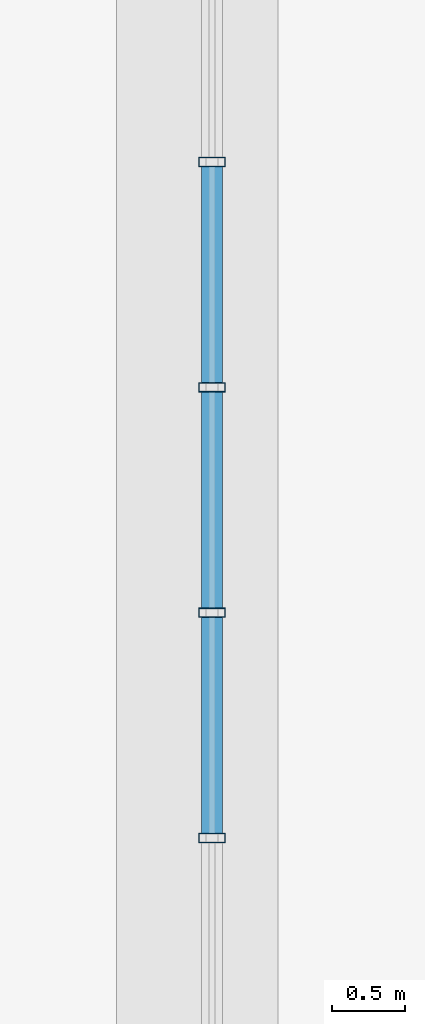
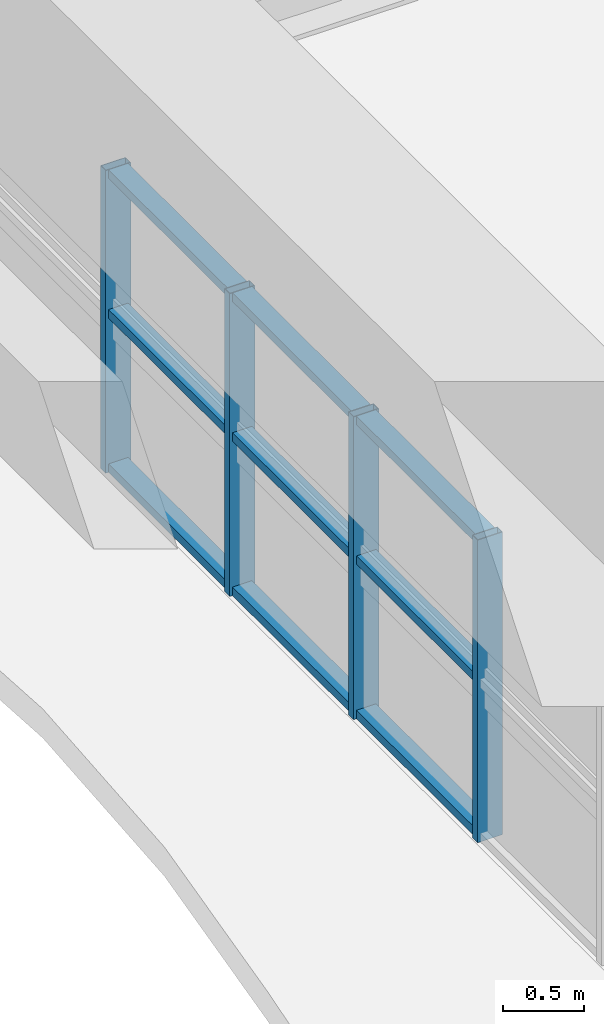
# One storey, part 10 of 35: 13 members, 1 element without a shape of its own.
"""IFC4 building model written with IfcOpenShell, lengths in metres."""

from ifc_helpers import new_model, si_unit, direction, frame, origin, origin_2d, place, context, subcontext, project, spatial, hollow_rectangle, extrude, source, transform, mapped, material, layer, layer_set, material_profile, profile_set, type_object, element, aggregate, save


model = new_model("IFC4")

# Units and contexts
model_context = context("Model", 3, precision=1e-05, world=origin(), true_north=direction((0.0, 1.0)))
body_context = subcontext(model_context, "Body", "Model", "MODEL_VIEW")
ifc_project = project(units=[si_unit("LENGTHUNIT", "METRE"), si_unit("AREAUNIT", "SQUARE_METRE"), si_unit("VOLUMEUNIT", "CUBIC_METRE"), si_unit("PLANEANGLEUNIT", "RADIAN"), si_unit("MASSUNIT", "GRAM", prefix="KILO")], contexts=[model_context])

# Site, building, storey
site_placement = place(None, origin())
site = spatial("IfcSite", under=ifc_project, at=site_placement, CompositionType="ELEMENT")
building_placement = place(site_placement, origin())
building = spatial("IfcBuilding", under=site, at=building_placement, Name="Saelheon Loggia Tower", CompositionType="ELEMENT")
storey_placement = place(building_placement, frame((0.0, 0.0, 70.39990234375)))
storey = spatial("IfcBuildingStorey", under=building, at=storey_placement, Name="L22", CompositionType="ELEMENT", Elevation=70.39990234375)

# Curtain wall, members
ifc_material_1 = material(Name="Anodised Aluminium Acoustic Louvre Curtain Wall", Category="aluminium")
ifc_layer = layer(ifc_material_1, 0.179931640625)
ifc_layer_set = layer_set([ifc_layer], Name="Anodised Aluminium Acoustic Louvre Curtain Wall")
curtain_wall_type = type_object("IfcCurtainWallType", Name="CW_RefugeAcoustic", PredefinedType="NOTDEFINED", material=ifc_layer_set)
curtain_wall_placement = place(storey_placement, origin())
curtain_wall = element("IfcCurtainWall", 1, at=curtain_wall_placement, inside=storey, type_object=curtain_wall_type, Name="L22 W Refuge Acoustic Curtain Wall 2", PredefinedType="NOTDEFINED")
ifc_material_2 = material(Name="Anodised Aluminium 6063-T6", Category="aluminium")
ifc_material_profile_1 = material_profile(ifc_material_2, hollow_rectangle(XDim=0.06494140625, YDim=0.179931640625, WallThickness=0.00390625, at=origin_2d()), Name="RHS-180x65x4")
ifc_profile_set_1 = profile_set([ifc_material_profile_1], Name="Anodised Aluminium 6063-T6")
member_type_1 = type_object("IfcMemberType", Name="CW_RefugeAcoustic_Mullion", PredefinedType="MULLION", material=ifc_profile_set_1)
shared_shape_1 = source(origin(), body_context, "Body", "SweptSolid", [
    extrude(hollow_rectangle(XDim=0.06494140625, YDim=0.179931640625, WallThickness=0.00390625, at=origin_2d()), origin(), (0.0, 0.0, 1.0), 2.2900390625),
])
member_1_placement = place(storey_placement, frame((12.10009765625, 27.76806640625, 0.0), z_axis=(0.0, 0.0, 1.0), x_axis=(0.0, 1.0, 0.0)))
member_1 = element("IfcMember", 2, at=member_1_placement, type_object=member_type_1, Name="CW5 mullion 7", PredefinedType="MULLION", context=body_context, shape_type="MappedRepresentation", body=[
    mapped(shared_shape_1, transform((0.0, 0.0, 0.0), scale=1.0)),
])
member_2_placement = place(storey_placement, frame((12.10009765625, 29.304443359375, 0.0), z_axis=(0.0, 0.0, 1.0), x_axis=(0.0, 1.0, 0.0)))
member_2 = element("IfcMember", 3, at=member_2_placement, type_object=member_type_1, Name="CW5 mullion 8", PredefinedType="MULLION", context=body_context, shape_type="MappedRepresentation", body=[
    mapped(shared_shape_1, transform((0.0, 0.0, 0.0), scale=1.0)),
])
member_3_placement = place(storey_placement, frame((12.10009765625, 30.8408203125, 0.0), z_axis=(0.0, 0.0, 1.0), x_axis=(0.0, 1.0, 0.0)))
member_3 = element("IfcMember", 4, at=member_3_placement, type_object=member_type_1, Name="CW5 mullion 9", PredefinedType="MULLION", context=body_context, shape_type="MappedRepresentation", body=[
    mapped(shared_shape_1, transform((0.0, 0.0, 0.0), scale=1.0)),
])
member_4_placement = place(storey_placement, frame((12.10009765625, 32.377197265625, 0.0), z_axis=(0.0, 0.0, 1.0), x_axis=(0.0, 1.0, 0.0)))
member_4 = element("IfcMember", 5, at=member_4_placement, type_object=member_type_1, Name="CW5 mullion 10", PredefinedType="MULLION", context=body_context, shape_type="MappedRepresentation", body=[
    mapped(shared_shape_1, transform((0.0, 0.0, 0.0), scale=1.0)),
])
ifc_material_profile_2 = material_profile(ifc_material_2, hollow_rectangle(XDim=0.06494140625, YDim=0.139892578125, WallThickness=0.00390625, at=origin_2d()), Name="RHS-140x65x4")
ifc_profile_set_2 = profile_set([ifc_material_profile_2], Name="Anodised Aluminium 6063-T6")
member_type_2 = type_object("IfcMemberType", Name="CW_RefugeAcoustic_Transom", PredefinedType="USERDEFINED", material=ifc_profile_set_2)
shared_shape_2 = source(origin(), body_context, "Body", "SweptSolid", [
    extrude(hollow_rectangle(XDim=0.06494140625, YDim=0.139892578125, WallThickness=0.00390625, at=origin_2d()), origin(), (0.0, 0.0, 1.0), 1.471435546875),
])
member_5_placement = place(storey_placement, frame((12.10009765625, 30.873291015625, 0.03271484375), z_axis=(0.0, 1.0, 0.0), x_axis=(0.0, 0.0, 1.0)))
member_5 = element("IfcMember", 6, at=member_5_placement, type_object=member_type_2, Name="CW5 transom 9.1", ObjectType="TRANSOM", PredefinedType="USERDEFINED", context=body_context, shape_type="MappedRepresentation", body=[
    mapped(shared_shape_2, transform((0.0, 0.0, 0.0), scale=1.0)),
])
member_6_placement = place(storey_placement, frame((12.10009765625, 30.873291015625, 1.2001953125), z_axis=(0.0, 1.0, 0.0), x_axis=(0.0, 0.0, 1.0)))
member_6 = element("IfcMember", 7, at=member_6_placement, type_object=member_type_2, Name="CW5 transom 9.2", ObjectType="TRANSOM", PredefinedType="USERDEFINED", context=body_context, shape_type="MappedRepresentation", body=[
    mapped(shared_shape_2, transform((0.0, 0.0, 0.0), scale=1.0)),
])
member_7_placement = place(storey_placement, frame((12.10009765625, 30.873291015625, 2.257568359375), z_axis=(0.0, 1.0, 0.0), x_axis=(0.0, 0.0, 1.0)))
member_7 = element("IfcMember", 8, at=member_7_placement, type_object=member_type_2, Name="CW5 transom 9.3", ObjectType="TRANSOM", PredefinedType="USERDEFINED", context=body_context, shape_type="MappedRepresentation", body=[
    mapped(shared_shape_2, transform((0.0, 0.0, 0.0), scale=1.0)),
])
shared_shape_3 = source(origin(), body_context, "Body", "SweptSolid", [
    extrude(hollow_rectangle(XDim=0.06494140625, YDim=0.139892578125, WallThickness=0.00390625, at=origin_2d()), origin(), (0.0, 0.0, 1.0), 1.47119140625),
])
member_8_placement = place(storey_placement, frame((12.10009765625, 27.80078125, 0.03271484375), z_axis=(0.0, 1.0, 0.0), x_axis=(0.0, 0.0, 1.0)))
member_8 = element("IfcMember", 9, at=member_8_placement, type_object=member_type_2, Name="CW5 transom 7.1", ObjectType="TRANSOM", PredefinedType="USERDEFINED", context=body_context, shape_type="MappedRepresentation", body=[
    mapped(shared_shape_3, transform((0.0, 0.0, 0.0), scale=1.0)),
])
member_9_placement = place(storey_placement, frame((12.10009765625, 27.80078125, 1.2001953125), z_axis=(0.0, 1.0, 0.0), x_axis=(0.0, 0.0, 1.0)))
member_9 = element("IfcMember", 10, at=member_9_placement, type_object=member_type_2, Name="CW5 transom 7.2", ObjectType="TRANSOM", PredefinedType="USERDEFINED", context=body_context, shape_type="MappedRepresentation", body=[
    mapped(shared_shape_3, transform((0.0, 0.0, 0.0), scale=1.0)),
])
member_10_placement = place(storey_placement, frame((12.10009765625, 27.80078125, 2.257568359375), z_axis=(0.0, 1.0, 0.0), x_axis=(0.0, 0.0, 1.0)))
member_10 = element("IfcMember", 11, at=member_10_placement, type_object=member_type_2, Name="CW5 transom 7.3", ObjectType="TRANSOM", PredefinedType="USERDEFINED", context=body_context, shape_type="MappedRepresentation", body=[
    mapped(shared_shape_3, transform((0.0, 0.0, 0.0), scale=1.0)),
])
member_11_placement = place(storey_placement, frame((12.10009765625, 29.337158203125, 0.03271484375), z_axis=(0.0, 1.0, 0.0), x_axis=(0.0, 0.0, 1.0)))
member_11 = element("IfcMember", 12, at=member_11_placement, type_object=member_type_2, Name="CW5 transom 8.1", ObjectType="TRANSOM", PredefinedType="USERDEFINED", context=body_context, shape_type="MappedRepresentation", body=[
    mapped(shared_shape_3, transform((0.0, 0.0, 0.0), scale=1.0)),
])
member_12_placement = place(storey_placement, frame((12.10009765625, 29.337158203125, 1.2001953125), z_axis=(0.0, 1.0, 0.0), x_axis=(0.0, 0.0, 1.0)))
member_12 = element("IfcMember", 13, at=member_12_placement, type_object=member_type_2, Name="CW5 transom 8.2", ObjectType="TRANSOM", PredefinedType="USERDEFINED", context=body_context, shape_type="MappedRepresentation", body=[
    mapped(shared_shape_3, transform((0.0, 0.0, 0.0), scale=1.0)),
])
member_13_placement = place(storey_placement, frame((12.10009765625, 29.337158203125, 2.257568359375), z_axis=(0.0, 1.0, 0.0), x_axis=(0.0, 0.0, 1.0)))
member_13 = element("IfcMember", 14, at=member_13_placement, type_object=member_type_2, Name="CW5 transom 8.3", ObjectType="TRANSOM", PredefinedType="USERDEFINED", context=body_context, shape_type="MappedRepresentation", body=[
    mapped(shared_shape_3, transform((0.0, 0.0, 0.0), scale=1.0)),
])
aggregate(curtain_wall, [member_1, member_2, member_3, member_4, member_8, member_9, member_10, member_11, member_12, member_13, member_5, member_6, member_7])

save(model, "model.ifc")
